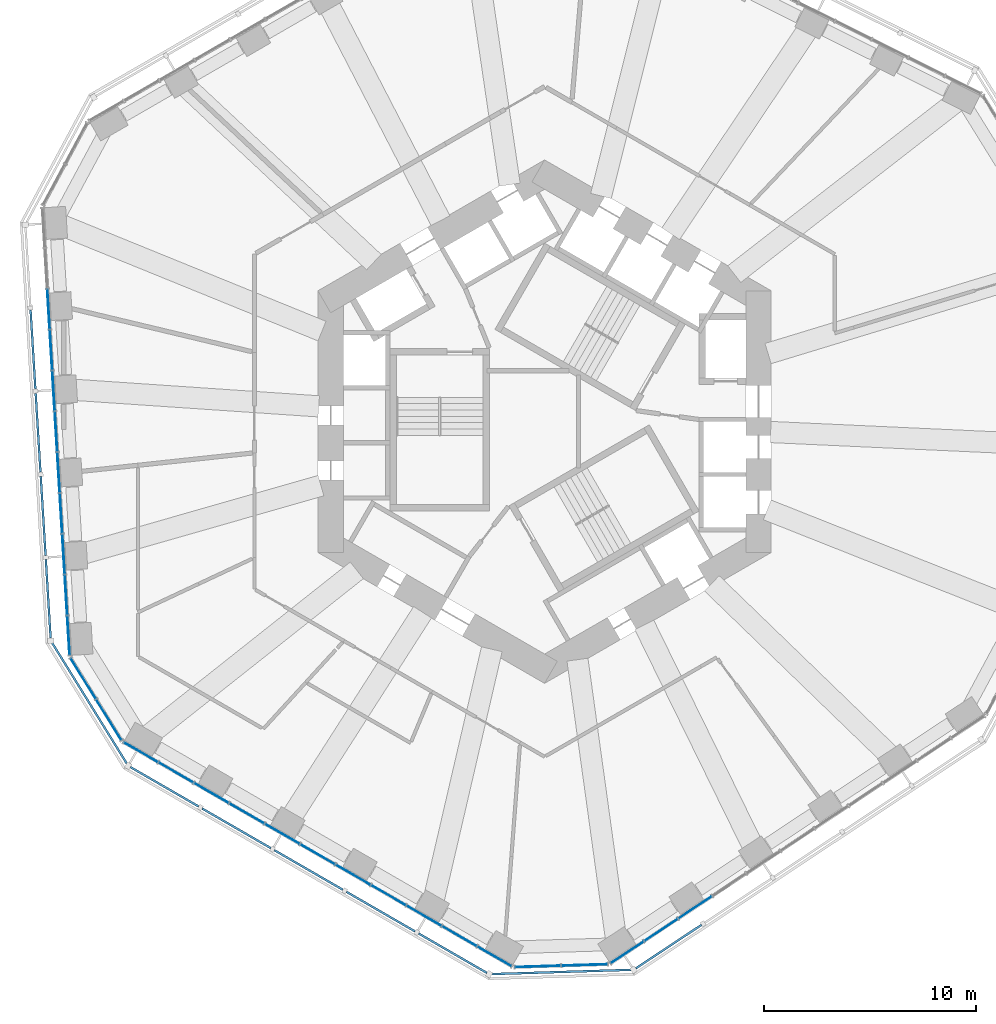
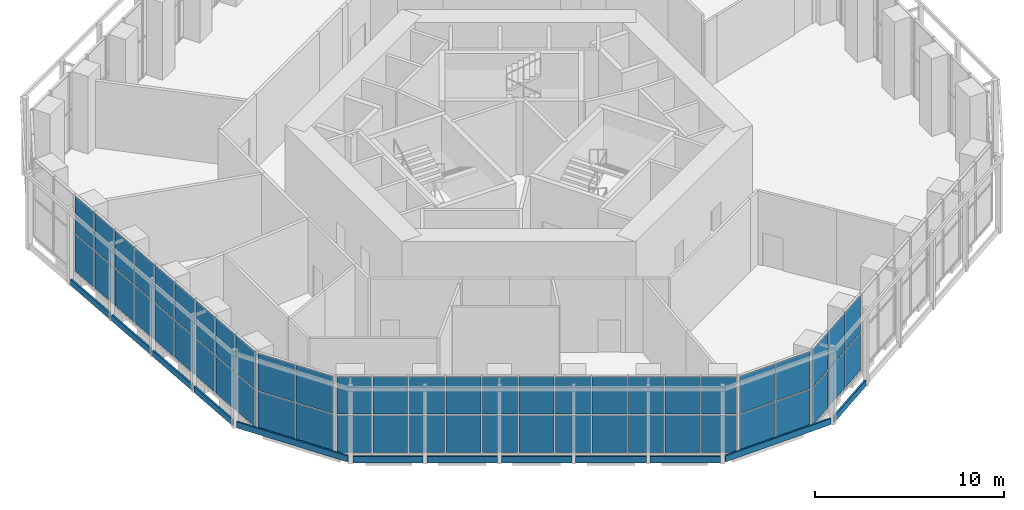
# One storey, part 10 of 19: 66 plates, 10 elements without a shape of their own.
"""IFC4 building model written with IfcOpenShell, lengths in metres."""

from ifc_helpers import new_model, si_unit, direction, frame, origin, origin_2d, place, context, subcontext, project, spatial, rectangle, extrude, material, layer, layer_set, type_object, element, aggregate, save


model = new_model("IFC4")

# Units and contexts
model_context = context("Model", 3, precision=1e-05, world=origin(), true_north=direction((0.0, 1.0)))
body_context = subcontext(model_context, "Body", "Model", "MODEL_VIEW")
ifc_project = project(units=[si_unit("LENGTHUNIT", "METRE"), si_unit("AREAUNIT", "SQUARE_METRE"), si_unit("VOLUMEUNIT", "CUBIC_METRE"), si_unit("PLANEANGLEUNIT", "RADIAN"), si_unit("MASSUNIT", "GRAM", prefix="KILO")], contexts=[model_context])

# Site, building, storey
site_placement = place(None, origin())
site = spatial("IfcSite", under=ifc_project, at=site_placement, CompositionType="ELEMENT")
building_placement = place(site_placement, origin())
building = spatial("IfcBuilding", under=site, at=building_placement, Name="Vanh Sen Convention Tower", CompositionType="ELEMENT")
storey_placement = place(building_placement, frame((0.0, 0.0, 39.0)))
storey = spatial("IfcBuildingStorey", under=building, at=storey_placement, Name="L06", CompositionType="ELEMENT", Elevation=39.0)

# Curtain wall, plates
ifc_material_1 = material(Name="Aluminium structural glazing system", Category="aluminium")
curtain_wall_type_1 = type_object("IfcCurtainWallType", Name="Hotel lobby structural glazing", PredefinedType="NOTDEFINED", material=ifc_material_1)
curtain_wall_1_placement = place(storey_placement, origin())
curtain_wall_1 = element("IfcCurtainWall", 1, at=curtain_wall_1_placement, inside=storey, type_object=curtain_wall_type_1, Name="Hotel lobby glazing W L06", PredefinedType="NOTDEFINED")
ifc_material_2 = material(Name="Clear toughened safety glass", Category="glass")
ifc_layer_1 = layer(ifc_material_2, 0.035888671875)
ifc_layer_set_1 = layer_set([ifc_layer_1], Name="Clear toughened safety glass")
plate_type_1 = type_object("IfcPlateType", Name="Lobby glazing clear glass panel 36", PredefinedType="CURTAIN_PANEL", material=ifc_layer_set_1)
plate_1_placement = place(storey_placement, frame((-23.41796875, 5.31103515625, 0.070068359375), z_axis=(0.0, 0.0, 1.0), x_axis=(0.06104613772, -0.99813494532, 0.0)))
plate_1 = element("IfcPlate", 2, at=plate_1_placement, type_object=plate_type_1, Name="CW2 panel 3.1", PredefinedType="CURTAIN_PANEL", context=body_context, shape_type="SweptSolid", body=[
    extrude(rectangle(XDim=1.861572265625, YDim=0.035888671875, at=origin_2d()), origin(), (0.0, 0.0, 1.0), 2.39501953125),
])
plate_2_placement = place(storey_placement, frame((-23.41796875, 5.31103515625, 2.534912109375), z_axis=(0.0, 0.0, 1.0), x_axis=(0.06104613772, -0.99813494532, 0.0)))
plate_2 = element("IfcPlate", 3, at=plate_2_placement, type_object=plate_type_1, Name="CW2 panel 3.2", PredefinedType="CURTAIN_PANEL", context=body_context, shape_type="SweptSolid", body=[
    extrude(rectangle(XDim=1.861572265625, YDim=0.035888671875, at=origin_2d()), origin(), (0.0, 0.0, 1.0), 2.39501953125),
])
plate_3_placement = place(storey_placement, frame((-23.300048828125, 3.38330078125, 0.070068359375), z_axis=(0.0, 0.0, 1.0), x_axis=(0.06104613772, -0.99813494532, 0.0)))
plate_3 = element("IfcPlate", 4, at=plate_3_placement, type_object=plate_type_1, Name="CW2 panel 4.1", PredefinedType="CURTAIN_PANEL", context=body_context, shape_type="SweptSolid", body=[
    extrude(rectangle(XDim=1.861572265625, YDim=0.035888671875, at=origin_2d()), origin(), (0.0, 0.0, 1.0), 2.39501953125),
])
plate_4_placement = place(storey_placement, frame((-23.300048828125, 3.38330078125, 2.534912109375), z_axis=(0.0, 0.0, 1.0), x_axis=(0.06104613772, -0.99813494532, 0.0)))
plate_4 = element("IfcPlate", 5, at=plate_4_placement, type_object=plate_type_1, Name="CW2 panel 4.2", PredefinedType="CURTAIN_PANEL", context=body_context, shape_type="SweptSolid", body=[
    extrude(rectangle(XDim=1.861572265625, YDim=0.035888671875, at=origin_2d()), origin(), (0.0, 0.0, 1.0), 2.39501953125),
])
plate_5_placement = place(storey_placement, frame((-23.18212890625, 1.455322265625, 0.070068359375), z_axis=(0.0, 0.0, 1.0), x_axis=(0.06104613772, -0.99813494532, 0.0)))
plate_5 = element("IfcPlate", 6, at=plate_5_placement, type_object=plate_type_1, Name="CW2 panel 5.1", PredefinedType="CURTAIN_PANEL", context=body_context, shape_type="SweptSolid", body=[
    extrude(rectangle(XDim=1.861572265625, YDim=0.035888671875, at=origin_2d()), origin(), (0.0, 0.0, 1.0), 2.39501953125),
])
plate_6_placement = place(storey_placement, frame((-23.18212890625, 1.455322265625, 2.534912109375), z_axis=(0.0, 0.0, 1.0), x_axis=(0.06104613772, -0.99813494532, 0.0)))
plate_6 = element("IfcPlate", 7, at=plate_6_placement, type_object=plate_type_1, Name="CW2 panel 5.2", PredefinedType="CURTAIN_PANEL", context=body_context, shape_type="SweptSolid", body=[
    extrude(rectangle(XDim=1.861572265625, YDim=0.035888671875, at=origin_2d()), origin(), (0.0, 0.0, 1.0), 2.39501953125),
])
plate_7_placement = place(storey_placement, frame((-23.064208984375, -0.472412109375, 0.070068359375), z_axis=(0.0, 0.0, 1.0), x_axis=(0.06104613772, -0.99813494532, 0.0)))
plate_7 = element("IfcPlate", 8, at=plate_7_placement, type_object=plate_type_1, Name="CW2 panel 6.1", PredefinedType="CURTAIN_PANEL", context=body_context, shape_type="SweptSolid", body=[
    extrude(rectangle(XDim=1.861572265625, YDim=0.035888671875, at=origin_2d()), origin(), (0.0, 0.0, 1.0), 2.39501953125),
])
plate_8_placement = place(storey_placement, frame((-23.064208984375, -0.472412109375, 2.534912109375), z_axis=(0.0, 0.0, 1.0), x_axis=(0.06104613772, -0.99813494532, 0.0)))
plate_8 = element("IfcPlate", 9, at=plate_8_placement, type_object=plate_type_1, Name="CW2 panel 6.2", PredefinedType="CURTAIN_PANEL", context=body_context, shape_type="SweptSolid", body=[
    extrude(rectangle(XDim=1.861572265625, YDim=0.035888671875, at=origin_2d()), origin(), (0.0, 0.0, 1.0), 2.39501953125),
])
plate_9_placement = place(storey_placement, frame((-22.9462890625, -2.400390625, 0.070068359375), z_axis=(0.0, 0.0, 1.0), x_axis=(0.06104613772, -0.99813494532, 0.0)))
plate_9 = element("IfcPlate", 10, at=plate_9_placement, type_object=plate_type_1, Name="CW2 panel 7.1", PredefinedType="CURTAIN_PANEL", context=body_context, shape_type="SweptSolid", body=[
    extrude(rectangle(XDim=1.861572265625, YDim=0.035888671875, at=origin_2d()), origin(), (0.0, 0.0, 1.0), 2.39501953125),
])
plate_10_placement = place(storey_placement, frame((-22.9462890625, -2.400390625, 2.534912109375), z_axis=(0.0, 0.0, 1.0), x_axis=(0.06104613772, -0.99813494532, 0.0)))
plate_10 = element("IfcPlate", 11, at=plate_10_placement, type_object=plate_type_1, Name="CW2 panel 7.2", PredefinedType="CURTAIN_PANEL", context=body_context, shape_type="SweptSolid", body=[
    extrude(rectangle(XDim=1.861572265625, YDim=0.035888671875, at=origin_2d()), origin(), (0.0, 0.0, 1.0), 2.39501953125),
])
plate_11_placement = place(storey_placement, frame((-22.828369140625, -4.328125, 0.070068359375), z_axis=(0.0, 0.0, 1.0), x_axis=(0.06104613772, -0.99813494532, 0.0)))
plate_11 = element("IfcPlate", 12, at=plate_11_placement, type_object=plate_type_1, Name="CW2 panel 8.1", PredefinedType="CURTAIN_PANEL", context=body_context, shape_type="SweptSolid", body=[
    extrude(rectangle(XDim=1.861572265625, YDim=0.035888671875, at=origin_2d()), origin(), (0.0, 0.0, 1.0), 2.39501953125),
])
plate_12_placement = place(storey_placement, frame((-22.828369140625, -4.328125, 2.534912109375), z_axis=(0.0, 0.0, 1.0), x_axis=(0.06104613772, -0.99813494532, 0.0)))
plate_12 = element("IfcPlate", 13, at=plate_12_placement, type_object=plate_type_1, Name="CW2 panel 8.2", PredefinedType="CURTAIN_PANEL", context=body_context, shape_type="SweptSolid", body=[
    extrude(rectangle(XDim=1.861572265625, YDim=0.035888671875, at=origin_2d()), origin(), (0.0, 0.0, 1.0), 2.39501953125),
])
plate_13_placement = place(storey_placement, frame((-22.71044921875, -6.256103515625, 0.070068359375), z_axis=(0.0, 0.0, 1.0), x_axis=(0.06104613772, -0.99813494532, 0.0)))
plate_13 = element("IfcPlate", 14, at=plate_13_placement, type_object=plate_type_1, Name="CW2 panel 9.1", PredefinedType="CURTAIN_PANEL", context=body_context, shape_type="SweptSolid", body=[
    extrude(rectangle(XDim=1.861572265625, YDim=0.035888671875, at=origin_2d()), origin(), (0.0, 0.0, 1.0), 2.39501953125),
])
plate_14_placement = place(storey_placement, frame((-22.71044921875, -6.256103515625, 2.534912109375), z_axis=(0.0, 0.0, 1.0), x_axis=(0.06104613772, -0.99813494532, 0.0)))
plate_14 = element("IfcPlate", 15, at=plate_14_placement, type_object=plate_type_1, Name="CW2 panel 9.2", PredefinedType="CURTAIN_PANEL", context=body_context, shape_type="SweptSolid", body=[
    extrude(rectangle(XDim=1.861572265625, YDim=0.035888671875, at=origin_2d()), origin(), (0.0, 0.0, 1.0), 2.39501953125),
])
plate_15_placement = place(storey_placement, frame((-22.592529296875, -8.18408203125, 0.070068359375), z_axis=(0.0, 0.0, 1.0), x_axis=(0.06104613772, -0.99813494532, 0.0)))
plate_15 = element("IfcPlate", 16, at=plate_15_placement, type_object=plate_type_1, Name="CW2 panel 10.1", PredefinedType="CURTAIN_PANEL", context=body_context, shape_type="SweptSolid", body=[
    extrude(rectangle(XDim=1.861572265625, YDim=0.035888671875, at=origin_2d()), origin(), (0.0, 0.0, 1.0), 2.39501953125),
])
plate_16_placement = place(storey_placement, frame((-22.592529296875, -8.18408203125, 2.534912109375), z_axis=(0.0, 0.0, 1.0), x_axis=(0.06104613772, -0.99813494532, 0.0)))
plate_16 = element("IfcPlate", 17, at=plate_16_placement, type_object=plate_type_1, Name="CW2 panel 10.2", PredefinedType="CURTAIN_PANEL", context=body_context, shape_type="SweptSolid", body=[
    extrude(rectangle(XDim=1.861572265625, YDim=0.035888671875, at=origin_2d()), origin(), (0.0, 0.0, 1.0), 2.39501953125),
])
plate_17_placement = place(storey_placement, frame((-22.475830078125, -10.094482421875, 0.070068359375), z_axis=(0.0, 0.0, 1.0), x_axis=(0.06104613772, -0.99813494532, 0.0)))
plate_17 = element("IfcPlate", 18, at=plate_17_placement, type_object=plate_type_1, Name="CW2 panel 11.1", PredefinedType="CURTAIN_PANEL", context=body_context, shape_type="SweptSolid", body=[
    extrude(rectangle(XDim=1.826416015625, YDim=0.035888671875, at=origin_2d()), origin(), (0.0, 0.0, 1.0), 2.39501953125),
])
plate_18_placement = place(storey_placement, frame((-22.475830078125, -10.094482421875, 2.534912109375), z_axis=(0.0, 0.0, 1.0), x_axis=(0.06104613772, -0.99813494532, 0.0)))
plate_18 = element("IfcPlate", 19, at=plate_18_placement, type_object=plate_type_1, Name="CW2 panel 11.2", PredefinedType="CURTAIN_PANEL", context=body_context, shape_type="SweptSolid", body=[
    extrude(rectangle(XDim=1.826416015625, YDim=0.035888671875, at=origin_2d()), origin(), (0.0, 0.0, 1.0), 2.39501953125),
])
aggregate(curtain_wall_1, [plate_1, plate_2, plate_3, plate_4, plate_5, plate_6, plate_7, plate_8, plate_9, plate_10, plate_11, plate_12, plate_13, plate_14, plate_15, plate_16, plate_17, plate_18])

curtain_wall_2_placement = place(storey_placement, origin())
curtain_wall_2 = element("IfcCurtainWall", 20, at=curtain_wall_2_placement, inside=storey, type_object=curtain_wall_type_1, Name="Hotel lobby glazing CH4 L06", PredefinedType="NOTDEFINED")
plate_19_placement = place(storey_placement, frame((-21.77880859375, -12.127685546875, 0.070068359375), z_axis=(0.0, 0.0, 1.0), x_axis=(0.526222359578, -0.850347004628, 0.0)))
plate_19 = element("IfcPlate", 21, at=plate_19_placement, type_object=plate_type_1, Name="CW2 panel 1.1", PredefinedType="CURTAIN_PANEL", context=body_context, shape_type="SweptSolid", body=[
    extrude(rectangle(XDim=2.224853515625, YDim=0.035888671875, at=origin_2d()), origin(), (0.0, 0.0, 1.0), 2.39501953125),
])
plate_20_placement = place(storey_placement, frame((-21.77880859375, -12.127685546875, 2.534912109375), z_axis=(0.0, 0.0, 1.0), x_axis=(0.526222359578, -0.850347004628, 0.0)))
plate_20 = element("IfcPlate", 22, at=plate_20_placement, type_object=plate_type_1, Name="CW2 panel 1.2", PredefinedType="CURTAIN_PANEL", context=body_context, shape_type="SweptSolid", body=[
    extrude(rectangle(XDim=2.224853515625, YDim=0.035888671875, at=origin_2d()), origin(), (0.0, 0.0, 1.0), 2.39501953125),
])
plate_21_placement = place(storey_placement, frame((-20.571044921875, -14.0791015625, 0.070068359375), z_axis=(0.0, 0.0, 1.0), x_axis=(0.526222359578, -0.850347004628, 0.0)))
plate_21 = element("IfcPlate", 23, at=plate_21_placement, type_object=plate_type_1, Name="CW2 panel 2.1", PredefinedType="CURTAIN_PANEL", context=body_context, shape_type="SweptSolid", body=[
    extrude(rectangle(XDim=2.224853515625, YDim=0.035888671875, at=origin_2d()), origin(), (0.0, 0.0, 1.0), 2.39501953125),
])
plate_22_placement = place(storey_placement, frame((-20.571044921875, -14.0791015625, 2.534912109375), z_axis=(0.0, 0.0, 1.0), x_axis=(0.526222359578, -0.850347004628, 0.0)))
plate_22 = element("IfcPlate", 24, at=plate_22_placement, type_object=plate_type_1, Name="CW2 panel 2.2", PredefinedType="CURTAIN_PANEL", context=body_context, shape_type="SweptSolid", body=[
    extrude(rectangle(XDim=2.224853515625, YDim=0.035888671875, at=origin_2d()), origin(), (0.0, 0.0, 1.0), 2.39501953125),
])
aggregate(curtain_wall_2, [plate_19, plate_20, plate_21, plate_22])

curtain_wall_3_placement = place(storey_placement, origin())
curtain_wall_3 = element("IfcCurtainWall", 25, at=curtain_wall_3_placement, inside=storey, type_object=curtain_wall_type_1, Name="Hotel lobby glazing SW L06", PredefinedType="NOTDEFINED")
plate_23_placement = place(storey_placement, frame((-19.0625, -15.610107421875, 0.070068359375), z_axis=(0.0, 0.0, 1.0), x_axis=(0.866026866061, -0.499997467254, 0.0)))
plate_23 = element("IfcPlate", 26, at=plate_23_placement, type_object=plate_type_1, Name="CW2 panel 1.1", PredefinedType="CURTAIN_PANEL", context=body_context, shape_type="SweptSolid", body=[
    extrude(rectangle(XDim=1.826416015625, YDim=0.035888671875, at=origin_2d()), origin(), (0.0, 0.0, 1.0), 2.39501953125),
])
plate_24_placement = place(storey_placement, frame((-19.0625, -15.610107421875, 2.534912109375), z_axis=(0.0, 0.0, 1.0), x_axis=(0.866026866061, -0.499997467254, 0.0)))
plate_24 = element("IfcPlate", 27, at=plate_24_placement, type_object=plate_type_1, Name="CW2 panel 1.2", PredefinedType="CURTAIN_PANEL", context=body_context, shape_type="SweptSolid", body=[
    extrude(rectangle(XDim=1.826416015625, YDim=0.035888671875, at=origin_2d()), origin(), (0.0, 0.0, 1.0), 2.39501953125),
])
plate_25_placement = place(storey_placement, frame((-17.40478515625, -16.567138671875, 0.070068359375), z_axis=(0.0, 0.0, 1.0), x_axis=(0.866026866061, -0.499997467254, 0.0)))
plate_25 = element("IfcPlate", 28, at=plate_25_placement, type_object=plate_type_1, Name="CW2 panel 2.1", PredefinedType="CURTAIN_PANEL", context=body_context, shape_type="SweptSolid", body=[
    extrude(rectangle(XDim=1.861572265625, YDim=0.035888671875, at=origin_2d()), origin(), (0.0, 0.0, 1.0), 2.39501953125),
])
plate_26_placement = place(storey_placement, frame((-17.40478515625, -16.567138671875, 2.534912109375), z_axis=(0.0, 0.0, 1.0), x_axis=(0.866026866061, -0.499997467254, 0.0)))
plate_26 = element("IfcPlate", 29, at=plate_26_placement, type_object=plate_type_1, Name="CW2 panel 2.2", PredefinedType="CURTAIN_PANEL", context=body_context, shape_type="SweptSolid", body=[
    extrude(rectangle(XDim=1.861572265625, YDim=0.035888671875, at=origin_2d()), origin(), (0.0, 0.0, 1.0), 2.39501953125),
])
plate_27_placement = place(storey_placement, frame((-15.732177734375, -17.532958984375, 0.070068359375), z_axis=(0.0, 0.0, 1.0), x_axis=(0.866026866061, -0.499997467254, 0.0)))
plate_27 = element("IfcPlate", 30, at=plate_27_placement, type_object=plate_type_1, Name="CW2 panel 3.1", PredefinedType="CURTAIN_PANEL", context=body_context, shape_type="SweptSolid", body=[
    extrude(rectangle(XDim=1.861572265625, YDim=0.035888671875, at=origin_2d()), origin(), (0.0, 0.0, 1.0), 2.39501953125),
])
plate_28_placement = place(storey_placement, frame((-15.732177734375, -17.532958984375, 2.534912109375), z_axis=(0.0, 0.0, 1.0), x_axis=(0.866026866061, -0.499997467254, 0.0)))
plate_28 = element("IfcPlate", 31, at=plate_28_placement, type_object=plate_type_1, Name="CW2 panel 3.2", PredefinedType="CURTAIN_PANEL", context=body_context, shape_type="SweptSolid", body=[
    extrude(rectangle(XDim=1.861572265625, YDim=0.035888671875, at=origin_2d()), origin(), (0.0, 0.0, 1.0), 2.39501953125),
])
plate_29_placement = place(storey_placement, frame((-14.0595703125, -18.49853515625, 0.070068359375), z_axis=(0.0, 0.0, 1.0), x_axis=(0.866026866061, -0.499997467254, 0.0)))
plate_29 = element("IfcPlate", 32, at=plate_29_placement, type_object=plate_type_1, Name="CW2 panel 4.1", PredefinedType="CURTAIN_PANEL", context=body_context, shape_type="SweptSolid", body=[
    extrude(rectangle(XDim=1.861572265625, YDim=0.035888671875, at=origin_2d()), origin(), (0.0, 0.0, 1.0), 2.39501953125),
])
plate_30_placement = place(storey_placement, frame((-14.0595703125, -18.49853515625, 2.534912109375), z_axis=(0.0, 0.0, 1.0), x_axis=(0.866026866061, -0.499997467254, 0.0)))
plate_30 = element("IfcPlate", 33, at=plate_30_placement, type_object=plate_type_1, Name="CW2 panel 4.2", PredefinedType="CURTAIN_PANEL", context=body_context, shape_type="SweptSolid", body=[
    extrude(rectangle(XDim=1.861572265625, YDim=0.035888671875, at=origin_2d()), origin(), (0.0, 0.0, 1.0), 2.39501953125),
])
plate_31_placement = place(storey_placement, frame((-12.38671875, -19.46435546875, 0.070068359375), z_axis=(0.0, 0.0, 1.0), x_axis=(0.866026866061, -0.499997467254, 0.0)))
plate_31 = element("IfcPlate", 34, at=plate_31_placement, type_object=plate_type_1, Name="CW2 panel 5.1", PredefinedType="CURTAIN_PANEL", context=body_context, shape_type="SweptSolid", body=[
    extrude(rectangle(XDim=1.861572265625, YDim=0.035888671875, at=origin_2d()), origin(), (0.0, 0.0, 1.0), 2.39501953125),
])
plate_32_placement = place(storey_placement, frame((-12.38671875, -19.46435546875, 2.534912109375), z_axis=(0.0, 0.0, 1.0), x_axis=(0.866026866061, -0.499997467254, 0.0)))
plate_32 = element("IfcPlate", 35, at=plate_32_placement, type_object=plate_type_1, Name="CW2 panel 5.2", PredefinedType="CURTAIN_PANEL", context=body_context, shape_type="SweptSolid", body=[
    extrude(rectangle(XDim=1.861572265625, YDim=0.035888671875, at=origin_2d()), origin(), (0.0, 0.0, 1.0), 2.39501953125),
])
plate_33_placement = place(storey_placement, frame((-10.714111328125, -20.43017578125, 0.070068359375), z_axis=(0.0, 0.0, 1.0), x_axis=(0.866026866061, -0.499997467254, 0.0)))
plate_33 = element("IfcPlate", 36, at=plate_33_placement, type_object=plate_type_1, Name="CW2 panel 6.1", PredefinedType="CURTAIN_PANEL", context=body_context, shape_type="SweptSolid", body=[
    extrude(rectangle(XDim=1.861572265625, YDim=0.035888671875, at=origin_2d()), origin(), (0.0, 0.0, 1.0), 2.39501953125),
])
plate_34_placement = place(storey_placement, frame((-10.714111328125, -20.43017578125, 2.534912109375), z_axis=(0.0, 0.0, 1.0), x_axis=(0.866026866061, -0.499997467254, 0.0)))
plate_34 = element("IfcPlate", 37, at=plate_34_placement, type_object=plate_type_1, Name="CW2 panel 6.2", PredefinedType="CURTAIN_PANEL", context=body_context, shape_type="SweptSolid", body=[
    extrude(rectangle(XDim=1.861572265625, YDim=0.035888671875, at=origin_2d()), origin(), (0.0, 0.0, 1.0), 2.39501953125),
])
plate_35_placement = place(storey_placement, frame((-9.041259765625, -21.395751953125, 0.070068359375), z_axis=(0.0, 0.0, 1.0), x_axis=(0.866026866061, -0.499997467254, 0.0)))
plate_35 = element("IfcPlate", 38, at=plate_35_placement, type_object=plate_type_1, Name="CW2 panel 7.1", PredefinedType="CURTAIN_PANEL", context=body_context, shape_type="SweptSolid", body=[
    extrude(rectangle(XDim=1.861572265625, YDim=0.035888671875, at=origin_2d()), origin(), (0.0, 0.0, 1.0), 2.39501953125),
])
plate_36_placement = place(storey_placement, frame((-9.041259765625, -21.395751953125, 2.534912109375), z_axis=(0.0, 0.0, 1.0), x_axis=(0.866026866061, -0.499997467254, 0.0)))
plate_36 = element("IfcPlate", 39, at=plate_36_placement, type_object=plate_type_1, Name="CW2 panel 7.2", PredefinedType="CURTAIN_PANEL", context=body_context, shape_type="SweptSolid", body=[
    extrude(rectangle(XDim=1.861572265625, YDim=0.035888671875, at=origin_2d()), origin(), (0.0, 0.0, 1.0), 2.39501953125),
])
plate_37_placement = place(storey_placement, frame((-7.36865234375, -22.361572265625, 0.070068359375), z_axis=(0.0, 0.0, 1.0), x_axis=(0.866026866061, -0.499997467254, 0.0)))
plate_37 = element("IfcPlate", 40, at=plate_37_placement, type_object=plate_type_1, Name="CW2 panel 8.1", PredefinedType="CURTAIN_PANEL", context=body_context, shape_type="SweptSolid", body=[
    extrude(rectangle(XDim=1.861572265625, YDim=0.035888671875, at=origin_2d()), origin(), (0.0, 0.0, 1.0), 2.39501953125),
])
plate_38_placement = place(storey_placement, frame((-7.36865234375, -22.361572265625, 2.534912109375), z_axis=(0.0, 0.0, 1.0), x_axis=(0.866026866061, -0.499997467254, 0.0)))
plate_38 = element("IfcPlate", 41, at=plate_38_placement, type_object=plate_type_1, Name="CW2 panel 8.2", PredefinedType="CURTAIN_PANEL", context=body_context, shape_type="SweptSolid", body=[
    extrude(rectangle(XDim=1.861572265625, YDim=0.035888671875, at=origin_2d()), origin(), (0.0, 0.0, 1.0), 2.39501953125),
])
plate_39_placement = place(storey_placement, frame((-5.696044921875, -23.327392578125, 0.070068359375), z_axis=(0.0, 0.0, 1.0), x_axis=(0.866026866061, -0.499997467254, 0.0)))
plate_39 = element("IfcPlate", 42, at=plate_39_placement, type_object=plate_type_1, Name="CW2 panel 9.1", PredefinedType="CURTAIN_PANEL", context=body_context, shape_type="SweptSolid", body=[
    extrude(rectangle(XDim=1.861572265625, YDim=0.035888671875, at=origin_2d()), origin(), (0.0, 0.0, 1.0), 2.39501953125),
])
plate_40_placement = place(storey_placement, frame((-5.696044921875, -23.327392578125, 2.534912109375), z_axis=(0.0, 0.0, 1.0), x_axis=(0.866026866061, -0.499997467254, 0.0)))
plate_40 = element("IfcPlate", 43, at=plate_40_placement, type_object=plate_type_1, Name="CW2 panel 9.2", PredefinedType="CURTAIN_PANEL", context=body_context, shape_type="SweptSolid", body=[
    extrude(rectangle(XDim=1.861572265625, YDim=0.035888671875, at=origin_2d()), origin(), (0.0, 0.0, 1.0), 2.39501953125),
])
plate_41_placement = place(storey_placement, frame((-4.023193359375, -24.29296875, 0.070068359375), z_axis=(0.0, 0.0, 1.0), x_axis=(0.866026866061, -0.499997467254, 0.0)))
plate_41 = element("IfcPlate", 44, at=plate_41_placement, type_object=plate_type_1, Name="CW2 panel 10.1", PredefinedType="CURTAIN_PANEL", context=body_context, shape_type="SweptSolid", body=[
    extrude(rectangle(XDim=1.861572265625, YDim=0.035888671875, at=origin_2d()), origin(), (0.0, 0.0, 1.0), 2.39501953125),
])
plate_42_placement = place(storey_placement, frame((-4.023193359375, -24.29296875, 2.534912109375), z_axis=(0.0, 0.0, 1.0), x_axis=(0.866026866061, -0.499997467254, 0.0)))
plate_42 = element("IfcPlate", 45, at=plate_42_placement, type_object=plate_type_1, Name="CW2 panel 10.2", PredefinedType="CURTAIN_PANEL", context=body_context, shape_type="SweptSolid", body=[
    extrude(rectangle(XDim=1.861572265625, YDim=0.035888671875, at=origin_2d()), origin(), (0.0, 0.0, 1.0), 2.39501953125),
])
plate_43_placement = place(storey_placement, frame((-2.36572265625, -25.25, 0.070068359375), z_axis=(0.0, 0.0, 1.0), x_axis=(0.866026866061, -0.499997467254, 0.0)))
plate_43 = element("IfcPlate", 46, at=plate_43_placement, type_object=plate_type_1, Name="CW2 panel 11.1", PredefinedType="CURTAIN_PANEL", context=body_context, shape_type="SweptSolid", body=[
    extrude(rectangle(XDim=1.826416015625, YDim=0.035888671875, at=origin_2d()), origin(), (0.0, 0.0, 1.0), 2.39501953125),
])
plate_44_placement = place(storey_placement, frame((-2.36572265625, -25.25, 2.534912109375), z_axis=(0.0, 0.0, 1.0), x_axis=(0.866026866061, -0.499997467254, 0.0)))
plate_44 = element("IfcPlate", 47, at=plate_44_placement, type_object=plate_type_1, Name="CW2 panel 11.2", PredefinedType="CURTAIN_PANEL", context=body_context, shape_type="SweptSolid", body=[
    extrude(rectangle(XDim=1.826416015625, YDim=0.035888671875, at=origin_2d()), origin(), (0.0, 0.0, 1.0), 2.39501953125),
])
aggregate(curtain_wall_3, [plate_23, plate_24, plate_25, plate_26, plate_27, plate_28, plate_29, plate_30, plate_31, plate_32, plate_33, plate_34, plate_35, plate_36, plate_37, plate_38, plate_39, plate_40, plate_41, plate_42, plate_43, plate_44])

curtain_wall_4_placement = place(storey_placement, origin())
curtain_wall_4 = element("IfcCurtainWall", 48, at=curtain_wall_4_placement, inside=storey, type_object=curtain_wall_type_1, Name="Hotel lobby glazing CH5 L06", PredefinedType="NOTDEFINED")
plate_45_placement = place(storey_placement, frame((-0.32080078125, -25.719970703125, 0.070068359375), z_axis=(0.0, 0.0, 1.0), x_axis=(0.999533862197, 0.030529630207, 0.0)))
plate_45 = element("IfcPlate", 49, at=plate_45_placement, type_object=plate_type_1, Name="CW2 panel 1.1", PredefinedType="CURTAIN_PANEL", context=body_context, shape_type="SweptSolid", body=[
    extrude(rectangle(XDim=2.14208984375, YDim=0.035888671875, at=origin_2d()), origin(), (0.0, 0.0, 1.0), 2.39501953125),
])
plate_46_placement = place(storey_placement, frame((-0.32080078125, -25.719970703125, 2.534912109375), z_axis=(0.0, 0.0, 1.0), x_axis=(0.999533862197, 0.030529630207, 0.0)))
plate_46 = element("IfcPlate", 50, at=plate_46_placement, type_object=plate_type_1, Name="CW2 panel 1.2", PredefinedType="CURTAIN_PANEL", context=body_context, shape_type="SweptSolid", body=[
    extrude(rectangle(XDim=2.14208984375, YDim=0.035888671875, at=origin_2d()), origin(), (0.0, 0.0, 1.0), 2.39501953125),
])
plate_47_placement = place(storey_placement, frame((1.89013671875, -25.652587890625, 0.070068359375), z_axis=(0.0, 0.0, 1.0), x_axis=(0.999533862197, 0.030529630207, 0.0)))
plate_47 = element("IfcPlate", 51, at=plate_47_placement, type_object=plate_type_1, Name="CW2 panel 2.1", PredefinedType="CURTAIN_PANEL", context=body_context, shape_type="SweptSolid", body=[
    extrude(rectangle(XDim=2.14208984375, YDim=0.035888671875, at=origin_2d()), origin(), (0.0, 0.0, 1.0), 2.39501953125),
])
plate_48_placement = place(storey_placement, frame((1.89013671875, -25.652587890625, 2.534912109375), z_axis=(0.0, 0.0, 1.0), x_axis=(0.999533862197, 0.030529630207, 0.0)))
plate_48 = element("IfcPlate", 52, at=plate_48_placement, type_object=plate_type_1, Name="CW2 panel 2.2", PredefinedType="CURTAIN_PANEL", context=body_context, shape_type="SweptSolid", body=[
    extrude(rectangle(XDim=2.14208984375, YDim=0.035888671875, at=origin_2d()), origin(), (0.0, 0.0, 1.0), 2.39501953125),
])
aggregate(curtain_wall_4, [plate_45, plate_46, plate_47, plate_48])

curtain_wall_5_placement = place(storey_placement, origin())
curtain_wall_5 = element("IfcCurtainWall", 53, at=curtain_wall_5_placement, inside=storey, type_object=curtain_wall_type_1, Name="Hotel lobby glazing SE L06", PredefinedType="NOTDEFINED")
plate_49_placement = place(storey_placement, frame((3.90283203125, -25.058349609375, 0.070068359375), z_axis=(0.0, 0.0, 1.0), x_axis=(0.833885694486, 0.551937178066, 0.0)))
plate_49 = element("IfcPlate", 54, at=plate_49_placement, type_object=plate_type_1, Name="CW2 panel 1.1", PredefinedType="CURTAIN_PANEL", context=body_context, shape_type="SweptSolid", body=[
    extrude(rectangle(XDim=1.826416015625, YDim=0.035888671875, at=origin_2d()), origin(), (0.0, 0.0, 1.0), 2.39501953125),
])
plate_50_placement = place(storey_placement, frame((3.90283203125, -25.058349609375, 2.534912109375), z_axis=(0.0, 0.0, 1.0), x_axis=(0.833885694486, 0.551937178066, 0.0)))
plate_50 = element("IfcPlate", 55, at=plate_50_placement, type_object=plate_type_1, Name="CW2 panel 1.2", PredefinedType="CURTAIN_PANEL", context=body_context, shape_type="SweptSolid", body=[
    extrude(rectangle(XDim=1.826416015625, YDim=0.035888671875, at=origin_2d()), origin(), (0.0, 0.0, 1.0), 2.39501953125),
])
plate_51_placement = place(storey_placement, frame((5.498779296875, -24.001953125, 0.070068359375), z_axis=(0.0, 0.0, 1.0), x_axis=(0.833885694486, 0.551937178066, 0.0)))
plate_51 = element("IfcPlate", 56, at=plate_51_placement, type_object=plate_type_1, Name="CW2 panel 2.1", PredefinedType="CURTAIN_PANEL", context=body_context, shape_type="SweptSolid", body=[
    extrude(rectangle(XDim=1.861572265625, YDim=0.035888671875, at=origin_2d()), origin(), (0.0, 0.0, 1.0), 2.39501953125),
])
plate_52_placement = place(storey_placement, frame((5.498779296875, -24.001953125, 2.534912109375), z_axis=(0.0, 0.0, 1.0), x_axis=(0.833885694486, 0.551937178066, 0.0)))
plate_52 = element("IfcPlate", 57, at=plate_52_placement, type_object=plate_type_1, Name="CW2 panel 2.2", PredefinedType="CURTAIN_PANEL", context=body_context, shape_type="SweptSolid", body=[
    extrude(rectangle(XDim=1.861572265625, YDim=0.035888671875, at=origin_2d()), origin(), (0.0, 0.0, 1.0), 2.39501953125),
])
plate_53_placement = place(storey_placement, frame((7.109375, -22.93603515625, 0.070068359375), z_axis=(0.0, 0.0, 1.0), x_axis=(0.833885694486, 0.551937178066, 0.0)))
plate_53 = element("IfcPlate", 58, at=plate_53_placement, type_object=plate_type_1, Name="CW2 panel 3.1", PredefinedType="CURTAIN_PANEL", context=body_context, shape_type="SweptSolid", body=[
    extrude(rectangle(XDim=1.861572265625, YDim=0.035888671875, at=origin_2d()), origin(), (0.0, 0.0, 1.0), 2.39501953125),
])
plate_54_placement = place(storey_placement, frame((7.109375, -22.93603515625, 2.534912109375), z_axis=(0.0, 0.0, 1.0), x_axis=(0.833885694486, 0.551937178066, 0.0)))
plate_54 = element("IfcPlate", 59, at=plate_54_placement, type_object=plate_type_1, Name="CW2 panel 3.2", PredefinedType="CURTAIN_PANEL", context=body_context, shape_type="SweptSolid", body=[
    extrude(rectangle(XDim=1.861572265625, YDim=0.035888671875, at=origin_2d()), origin(), (0.0, 0.0, 1.0), 2.39501953125),
])
aggregate(curtain_wall_5, [plate_49, plate_50, plate_51, plate_52, plate_53, plate_54])

ifc_material_3 = material(Name="Concrete C50/60", Category="concrete")
curtain_wall_type_2 = type_object("IfcCurtainWallType", Name="Outer skin hotel zone", PredefinedType="NOTDEFINED", material=ifc_material_3)
curtain_wall_6_placement = place(storey_placement, origin())
curtain_wall_6 = element("IfcCurtainWall", 60, at=curtain_wall_6_placement, inside=storey, type_object=curtain_wall_type_2, Name="OUTER SKIN W L06", PredefinedType="NOTDEFINED")
ifc_layer_2 = layer(ifc_material_3, 0.10009765625)
ifc_layer_set_2 = layer_set([ifc_layer_2], Name="Concrete C50/60")
plate_type_2 = type_object("IfcPlateType", Name="Outer skin precast screen panel 100", PredefinedType="CURTAIN_PANEL", material=ifc_layer_set_2)
plate_55_placement = place(storey_placement, frame((-24.15283203125, 3.40380859375, 0.0), z_axis=(0.0, 0.0, 1.0), x_axis=(0.061048539535, -0.998134798422, 0.0)))
plate_55 = element("IfcPlate", 61, at=plate_55_placement, type_object=plate_type_2, Name="OUTER SKIN screen panel W-2", PredefinedType="CURTAIN_PANEL", context=body_context, shape_type="SweptSolid", body=[
    extrude(rectangle(XDim=3.734619140625, YDim=0.10009765625, at=origin_2d()), origin(), (0.0, 0.0, 1.0), 0.39990234375),
])
plate_56_placement = place(storey_placement, frame((-23.91259765625, -0.523681640625, 0.0), z_axis=(0.0, 0.0, 1.0), x_axis=(0.061046797461, -0.99813490497, 0.0)))
plate_56 = element("IfcPlate", 62, at=plate_56_placement, type_object=plate_type_2, Name="OUTER SKIN screen panel W-3", PredefinedType="CURTAIN_PANEL", context=body_context, shape_type="SweptSolid", body=[
    extrude(rectangle(XDim=3.734619140625, YDim=0.10009765625, at=origin_2d()), origin(), (0.0, 0.0, 1.0), 0.39990234375),
])
plate_57_placement = place(storey_placement, frame((-23.67236328125, -4.45068359375, 0.0), z_axis=(0.0, 0.0, 1.0), x_axis=(0.061048539535, -0.998134798422, 0.0)))
plate_57 = element("IfcPlate", 63, at=plate_57_placement, type_object=plate_type_2, Name="OUTER SKIN screen panel W-4", PredefinedType="CURTAIN_PANEL", context=body_context, shape_type="SweptSolid", body=[
    extrude(rectangle(XDim=3.734619140625, YDim=0.10009765625, at=origin_2d()), origin(), (0.0, 0.0, 1.0), 0.39990234375),
])
plate_58_placement = place(storey_placement, frame((-23.43310546875, -8.365478515625, 0.0), z_axis=(0.0, 0.0, 1.0), x_axis=(0.061046797461, -0.99813490497, 0.0)))
plate_58 = element("IfcPlate", 64, at=plate_58_placement, type_object=plate_type_2, Name="OUTER SKIN screen panel W-5", PredefinedType="CURTAIN_PANEL", context=body_context, shape_type="SweptSolid", body=[
    extrude(rectangle(XDim=3.709716796875, YDim=0.10009765625, at=origin_2d()), origin(), (0.0, 0.0, 1.0), 0.39990234375),
])
aggregate(curtain_wall_6, [plate_55, plate_56, plate_57, plate_58])

# Curtain wall, plate
curtain_wall_7_placement = place(storey_placement, origin())
curtain_wall_7 = element("IfcCurtainWall", 65, at=curtain_wall_7_placement, inside=storey, type_object=curtain_wall_type_2, Name="OUTER SKIN CH4 L06", PredefinedType="NOTDEFINED")
plate_59_placement = place(storey_placement, frame((-21.484619140625, -13.295166015625, 0.0), z_axis=(0.0, 0.0, 1.0), x_axis=(0.526205018755, -0.850357735448, 0.0)))
plate_59 = element("IfcPlate", 66, at=plate_59_placement, type_object=plate_type_2, Name="OUTER SKIN screen panel CH4-1", PredefinedType="CURTAIN_PANEL", context=body_context, shape_type="SweptSolid", body=[
    extrude(rectangle(XDim=6.6962890625, YDim=0.10009765625, at=origin_2d()), origin(), (0.0, 0.0, 1.0), 0.39990234375),
])
aggregate(curtain_wall_7, [plate_59])

# Curtain wall, plates
curtain_wall_8_placement = place(storey_placement, origin())
curtain_wall_8 = element("IfcCurtainWall", 67, at=curtain_wall_8_placement, inside=storey, type_object=curtain_wall_type_2, Name="OUTER SKIN SW L06", PredefinedType="NOTDEFINED")
plate_60_placement = place(storey_placement, frame((-17.9423828125, -17.23828125, 0.0), z_axis=(0.0, 0.0, 1.0), x_axis=(0.866028021766, -0.499995465495, 0.0)))
plate_60 = element("IfcPlate", 68, at=plate_60_placement, type_object=plate_type_2, Name="OUTER SKIN screen panel SW-1", PredefinedType="CURTAIN_PANEL", context=body_context, shape_type="SweptSolid", body=[
    extrude(rectangle(XDim=3.709716796875, YDim=0.10009765625, at=origin_2d()), origin(), (0.0, 0.0, 1.0), 0.39990234375),
])
plate_61_placement = place(storey_placement, frame((-14.5458984375, -19.19921875, 0.0), z_axis=(0.0, 0.0, 1.0), x_axis=(0.866032385017, -0.499987907955, 0.0)))
plate_61 = element("IfcPlate", 69, at=plate_61_placement, type_object=plate_type_2, Name="OUTER SKIN screen panel SW-2", PredefinedType="CURTAIN_PANEL", context=body_context, shape_type="SweptSolid", body=[
    extrude(rectangle(XDim=3.734619140625, YDim=0.10009765625, at=origin_2d()), origin(), (0.0, 0.0, 1.0), 0.39990234375),
])
plate_62_placement = place(storey_placement, frame((-11.138427734375, -21.16650390625, 0.0), z_axis=(0.0, 0.0, 1.0), x_axis=(0.866028021766, -0.499995465495, 0.0)))
plate_62 = element("IfcPlate", 70, at=plate_62_placement, type_object=plate_type_2, Name="OUTER SKIN screen panel SW-3", PredefinedType="CURTAIN_PANEL", context=body_context, shape_type="SweptSolid", body=[
    extrude(rectangle(XDim=3.734619140625, YDim=0.10009765625, at=origin_2d()), origin(), (0.0, 0.0, 1.0), 0.39990234375),
])
plate_63_placement = place(storey_placement, frame((-7.73095703125, -23.1337890625, 0.0), z_axis=(0.0, 0.0, 1.0), x_axis=(0.866028021766, -0.499995465495, 0.0)))
plate_63 = element("IfcPlate", 71, at=plate_63_placement, type_object=plate_type_2, Name="OUTER SKIN screen panel SW-4", PredefinedType="CURTAIN_PANEL", context=body_context, shape_type="SweptSolid", body=[
    extrude(rectangle(XDim=3.734619140625, YDim=0.10009765625, at=origin_2d()), origin(), (0.0, 0.0, 1.0), 0.39990234375),
])
plate_64_placement = place(storey_placement, frame((-4.334228515625, -25.094970703125, 0.0), z_axis=(0.0, 0.0, 1.0), x_axis=(0.866021040428, -0.500007557478, 0.0)))
plate_64 = element("IfcPlate", 72, at=plate_64_placement, type_object=plate_type_2, Name="OUTER SKIN screen panel SW-5", PredefinedType="CURTAIN_PANEL", context=body_context, shape_type="SweptSolid", body=[
    extrude(rectangle(XDim=3.70947265625, YDim=0.10009765625, at=origin_2d()), origin(), (0.0, 0.0, 1.0), 0.39990234375),
])
aggregate(curtain_wall_8, [plate_60, plate_61, plate_62, plate_63, plate_64])

# Curtain wall, plate
curtain_wall_9_placement = place(storey_placement, origin())
curtain_wall_9 = element("IfcCurtainWall", 73, at=curtain_wall_9_placement, inside=storey, type_object=curtain_wall_type_2, Name="OUTER SKIN CH5 L06", PredefinedType="NOTDEFINED")
plate_65_placement = place(storey_placement, frame((0.793701171875, -25.98046875, 0.0), z_axis=(0.0, 0.0, 1.0), x_axis=(0.999533484231, 0.03054200224, 0.0)))
plate_65 = element("IfcPlate", 74, at=plate_65_placement, type_object=plate_type_2, Name="OUTER SKIN screen panel CH5-1", PredefinedType="CURTAIN_PANEL", context=body_context, shape_type="SweptSolid", body=[
    extrude(rectangle(XDim=6.580078125, YDim=0.10009765625, at=origin_2d()), origin(), (0.0, 0.0, 1.0), 0.39990234375),
])
aggregate(curtain_wall_9, [plate_65])

curtain_wall_10_placement = place(storey_placement, origin())
curtain_wall_10 = element("IfcCurtainWall", 75, at=curtain_wall_10_placement, inside=storey, type_object=curtain_wall_type_2, Name="OUTER SKIN SE L06", PredefinedType="NOTDEFINED")
plate_66_placement = place(storey_placement, frame((5.858154296875, -24.783447265625, 0.0), z_axis=(0.0, 0.0, 1.0), x_axis=(0.833891601892, 0.55192825285, 0.0)))
plate_66 = element("IfcPlate", 76, at=plate_66_placement, type_object=plate_type_2, Name="OUTER SKIN screen panel SE-1", PredefinedType="CURTAIN_PANEL", context=body_context, shape_type="SweptSolid", body=[
    extrude(rectangle(XDim=3.709716796875, YDim=0.10009765625, at=origin_2d()), origin(), (0.0, 0.0, 1.0), 0.39990234375),
])
aggregate(curtain_wall_10, [plate_66])

save(model, "model.ifc")
